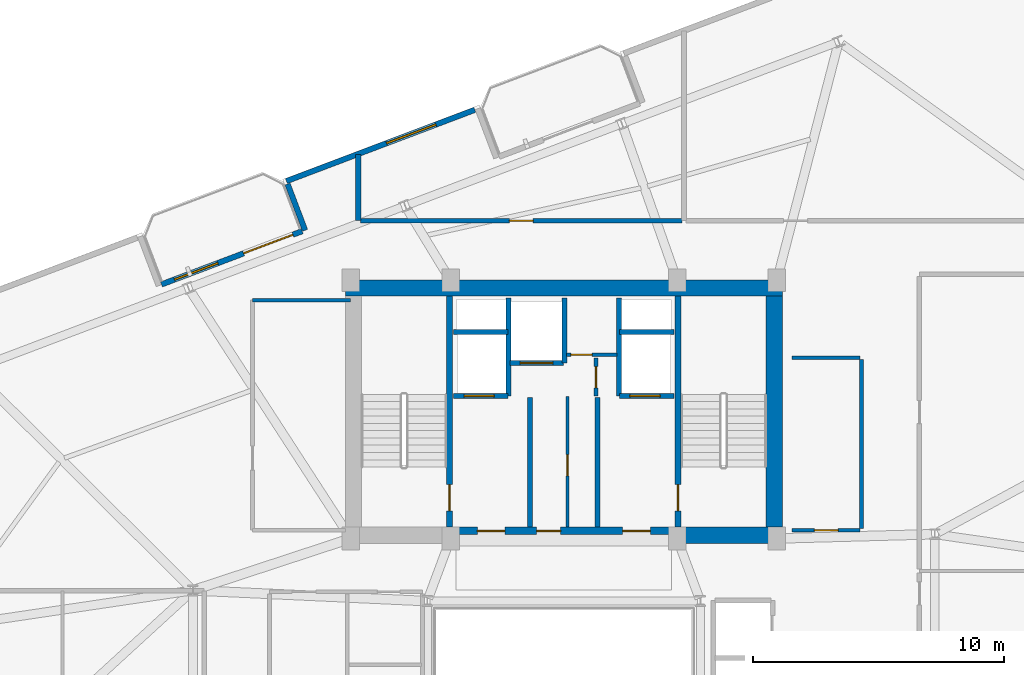
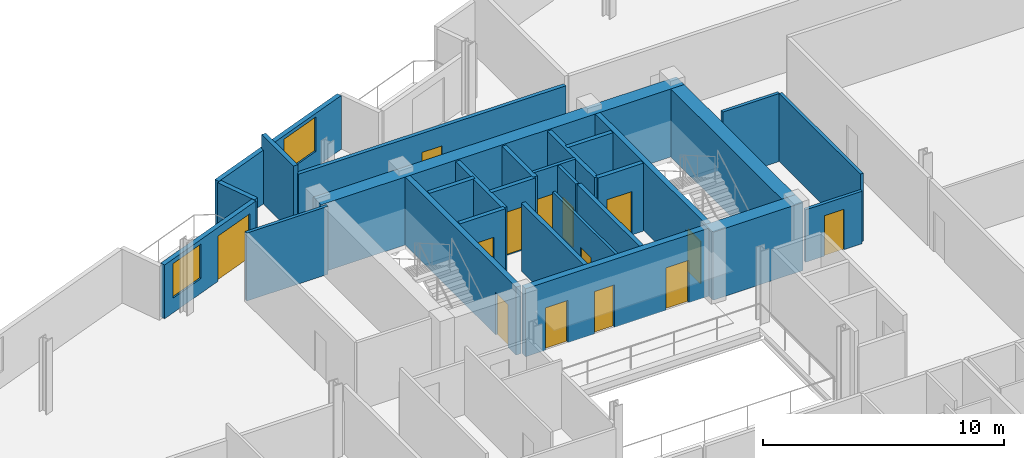
# One storey, part 16 of 19: 28 walls, 14 doors, 2 windows, 16 openings.
"""IFC4 building model written with IfcOpenShell, lengths in metres."""

from ifc_helpers import new_model, si_unit, direction, frame, frame_2d, origin, place, context, subcontext, project, spatial, rectangle, extrude, material, layer, layer_set, type_object, element, fill, save


model = new_model("IFC4")

# Units and contexts
model_context = context("Model", 3, precision=1e-05, world=origin(), true_north=direction((0.0, 1.0)))
body_context = subcontext(model_context, "Body", "Model", "MODEL_VIEW")
ifc_project = project(units=[si_unit("LENGTHUNIT", "METRE"), si_unit("AREAUNIT", "SQUARE_METRE"), si_unit("VOLUMEUNIT", "CUBIC_METRE"), si_unit("PLANEANGLEUNIT", "RADIAN"), si_unit("MASSUNIT", "GRAM", prefix="KILO")], contexts=[model_context])

# Site, building, storey
site_placement = place(None, origin())
site = spatial("IfcSite", under=ifc_project, at=site_placement, CompositionType="ELEMENT")
building_placement = place(site_placement, origin())
building = spatial("IfcBuilding", under=site, at=building_placement, Name="Varnelok Gate Tower", CompositionType="ELEMENT")
storey_placement = place(building_placement, frame((0.0, 0.0, 231.199951171875)))
storey = spatial("IfcBuildingStorey", under=building, at=storey_placement, Name="L59", CompositionType="ELEMENT", Elevation=231.199951171875)

# Wall, openings, door, window
ifc_material_1 = material(Name="Concrete C45/55", Category="concrete")
ifc_layer_1 = layer(ifc_material_1, 0.219970703125)
ifc_layer_set_1 = layer_set([ifc_layer_1], Name="Concrete C45/55")
wall_type_1 = type_object("IfcWallType", Name="EW-BALC-220", PredefinedType="SOLIDWALL", material=ifc_layer_set_1)
wall_1_placement = place(storey_placement, frame((23.1494140625, 38.88720703125, 0.0), z_axis=(0.0, 0.0, 1.0), x_axis=(0.9352192676, 0.354069091436, 0.0)))
wall_1 = element("IfcWall", 1, at=wall_1_placement, inside=storey, type_object=wall_type_1, Name="L59 North Terrace Envelope Wall 3", PredefinedType="SOLIDWALL", context=body_context, shape_type="SweptSolid", body=[
    extrude(rectangle(XDim=6.000244140625, YDim=0.219970703125, at=frame_2d((3.0, 0.0))), origin(), (0.0, 0.0, 1.0), 2.72998046875),
])
opening_1_placement = place(wall_1_placement, frame((3.5, 0.0, 0.0)))
opening_1 = element("IfcOpeningElement", 2, at=opening_1_placement, cuts=wall_1, Name="Opening BD-2", PredefinedType="OPENING", context=body_context, shape_type="SweptSolid", body=[
    extrude(rectangle(XDim=2.10009765625, YDim=2.300048828125, at=frame_2d((1.050048828125, 1.14990234375))), frame((0.0, 0.119873046875, 0.0), z_axis=(0.0, -1.0, 0.0), x_axis=(1.0, 0.0, 0.0)), (0.0, 0.0, 1.0), 0.239990234375),
])
opening_2_placement = place(wall_1_placement, frame((0.550048828125, 0.0, 0.75)))
opening_2 = element("IfcOpeningElement", 3, at=opening_2_placement, cuts=wall_1, Name="Opening WN5", PredefinedType="OPENING", context=body_context, shape_type="SweptSolid", body=[
    extrude(rectangle(XDim=1.85009765625, YDim=1.75, at=frame_2d((0.925048828125, 0.875))), frame((0.0, 0.119873046875, 0.0), z_axis=(0.0, -1.0, 0.0), x_axis=(1.0, 0.0, 0.0)), (0.0, 0.0, 1.0), 0.239990234375),
])
ifc_material_2 = material(Name="Anodized Aluminum Alloy 6063-T6", Category="aluminium")
door_type_1 = type_object("IfcDoorType", Name="DR-EXT-SLID2100", OperationType="SLIDING_TO_LEFT", PredefinedType="DOOR", material=ifc_material_2)
door_1_placement = place(opening_1_placement, origin())
door_1 = element("IfcDoor", 4, at=door_1_placement, inside=storey, type_object=door_type_1, Name="L59 North Balcony Glazed Door 3", OperationType="SLIDING_TO_LEFT", OverallHeight=2.300048828125, OverallWidth=2.10009765625, PredefinedType="DOOR", context=body_context, shape_type="SweptSolid", body=[
    extrude(rectangle(XDim=2.10009765625, YDim=2.300048828125, at=frame_2d((1.050048828125, 1.14990234375))), frame((0.0, 0.02490234375, 0.0), z_axis=(0.0, -1.0, 0.0), x_axis=(1.0, 0.0, 0.0)), (0.0, 0.0, 1.0), 0.050048828125),
])
fill(opening_1, door_1)
ifc_material_3 = material(Name="Low-E Laminated Double Glazing IGU", Category="glass")
window_type_1 = type_object("IfcWindowType", Name="WN-RES-1850", PartitioningType="SINGLE_PANEL", PredefinedType="WINDOW", material=ifc_material_3)
window_1_placement = place(opening_2_placement, origin())
window_1 = element("IfcWindow", 5, at=window_1_placement, inside=storey, type_object=window_type_1, Name="L59 North Vision Window 3.1", OverallHeight=1.75, OverallWidth=1.85009765625, PartitioningType="SINGLE_PANEL", PredefinedType="WINDOW", context=body_context, shape_type="SweptSolid", body=[
    extrude(rectangle(XDim=1.85009765625, YDim=1.75, at=frame_2d((0.925048828125, 0.875))), frame((0.0, 0.030029296875, 0.0), z_axis=(0.0, -1.0, 0.0), x_axis=(1.0, 0.0, 0.0)), (0.0, 0.0, 1.0), 0.06005859375),
])
fill(opening_2, window_1)

# Wall, opening, window
wall_2_placement = place(storey_placement, frame((35.647705078125, 45.853515625, 0.0), z_axis=(0.0, 0.0, 1.0), x_axis=(-0.935230796934, -0.354038636968, 0.0)))
wall_2 = element("IfcWall", 6, at=wall_2_placement, inside=storey, type_object=wall_type_1, Name="L59 Perimeter Facade Closure Wall 29", PredefinedType="SOLIDWALL", context=body_context, shape_type="SweptSolid", body=[
    extrude(rectangle(XDim=8.03515625, YDim=0.219970703125, at=frame_2d((4.017578125, 0.0))), origin(), (0.0, 0.0, 1.0), 2.72998046875),
])
opening_3_placement = place(wall_2_placement, frame((1.661865234375, 0.0, 0.800048828125)))
opening_3 = element("IfcOpeningElement", 7, at=opening_3_placement, cuts=wall_2, Name="Opening WN4", PredefinedType="OPENING", context=body_context, shape_type="SweptSolid", body=[
    extrude(rectangle(XDim=2.10009765625, YDim=1.75, at=frame_2d((1.050048828125, 0.875))), frame((0.0, 0.119873046875, 0.0), z_axis=(0.0, -1.0, 0.0), x_axis=(1.0, 0.0, 0.0)), (0.0, 0.0, 1.0), 0.239990234375),
])
window_type_2 = type_object("IfcWindowType", Name="WN-SUI-2100", PartitioningType="SINGLE_PANEL", PredefinedType="WINDOW", material=ifc_material_3)
window_2_placement = place(opening_3_placement, origin())
window_2 = element("IfcWindow", 8, at=window_2_placement, inside=storey, type_object=window_type_2, Name="L59 Perimeter Vision Window 29", OverallHeight=1.75, OverallWidth=2.10009765625, PartitioningType="SINGLE_PANEL", PredefinedType="WINDOW", context=body_context, shape_type="SweptSolid", body=[
    extrude(rectangle(XDim=2.10009765625, YDim=1.75, at=frame_2d((1.050048828125, 0.875))), frame((0.0, 0.030029296875, 0.0), z_axis=(0.0, -1.0, 0.0), x_axis=(1.0, 0.0, 0.0)), (0.0, 0.0, 1.0), 0.06005859375),
])
fill(opening_3, window_2)

# Wall
wall_3_placement = place(storey_placement, frame((28.177490234375, 42.891845703125, 0.0), z_axis=(0.0, 0.0, 1.0), x_axis=(0.354061611705, -0.935222099352, 0.0)))
element("IfcWall", 9, at=wall_3_placement, inside=storey, type_object=wall_type_1, Name="L59 Perimeter Facade Closure Wall 30", PredefinedType="SOLIDWALL", context=body_context, shape_type="SweptSolid", body=[
    extrude(rectangle(XDim=1.974853515625, YDim=0.219970703125, at=frame_2d((0.9873046875, 0.0))), origin(), (0.0, 0.0, 1.0), 2.72998046875),
])

# Wall, opening, door
ifc_material_4 = material(Name="Gypsum Plasterboard Acoustic Partition", Category="gypsum")
ifc_layer_2 = layer(ifc_material_4, 0.179931640625)
ifc_layer_set_2 = layer_set([ifc_layer_2], Name="Gypsum Plasterboard Acoustic Partition")
wall_type_2 = type_object("IfcWallType", Name="PW-CORR-180", PredefinedType="PARTITIONING", material=ifc_layer_set_2)
wall_4_placement = place(storey_placement, frame((31.080078125, 41.429931640625, 0.0), z_axis=(0.0, 0.0, 1.0), x_axis=(1.0, 0.0, 0.0)))
wall_4 = element("IfcWall", 10, at=wall_4_placement, inside=storey, type_object=wall_type_2, Name="Interior Partition", PredefinedType="PARTITIONING", context=body_context, shape_type="SweptSolid", body=[
    extrude(rectangle(XDim=12.83984375, YDim=0.179931640625, at=frame_2d((6.419921875, 0.0))), origin(), (0.0, 0.0, 1.0), 3.01806640625),
])
opening_4_placement = place(wall_4_placement, frame((5.945068359375, 0.0, 0.0)))
opening_4 = element("IfcOpeningElement", 11, at=opening_4_placement, cuts=wall_4, Name="Opening D-I2", PredefinedType="OPENING", context=body_context, shape_type="SweptSolid", body=[
    extrude(rectangle(XDim=0.949951171875, YDim=2.050048828125, at=frame_2d((0.47509765625, 1.02490234375))), frame((0.0, 0.099853515625, 0.0), z_axis=(0.0, -1.0, 0.0), x_axis=(1.0, 0.0, 0.0)), (0.0, 0.0, 1.0), 0.199951171875),
])
ifc_material_5 = material(Name="Engineered Hardwood Timber", Category="wood")
door_type_2 = type_object("IfcDoorType", Name="DR-INT-950", OperationType="NOTDEFINED", PredefinedType="DOOR", material=ifc_material_5)
door_2_placement = place(opening_4_placement, origin())
door_2 = element("IfcDoor", 12, at=door_2_placement, inside=storey, type_object=door_type_2, Name="L59 Executive Business Office 2 Door", OperationType="SINGLE_SWING_LEFT", OverallHeight=2.050048828125, OverallWidth=0.949951171875, PredefinedType="DOOR", context=body_context, shape_type="SweptSolid", body=[
    extrude(rectangle(XDim=0.949951171875, YDim=2.050048828125, at=frame_2d((0.47509765625, 1.02490234375))), frame((0.0, 0.02490234375, 0.0), z_axis=(0.0, -1.0, 0.0), x_axis=(1.0, 0.0, 0.0)), (0.0, 0.0, 1.0), 0.050048828125),
])
fill(opening_4, door_2)

ifc_layer_3 = layer(ifc_material_4, 0.125)
ifc_layer_set_3 = layer_set([ifc_layer_3], Name="Gypsum Plasterboard Acoustic Partition")
wall_type_3 = type_object("IfcWallType", Name="PW-PART-125", PredefinedType="PARTITIONING", material=ifc_layer_set_3)
wall_5_placement = place(storey_placement, frame((39.35009765625, 29.199951171875, 0.0), z_axis=(0.0, 0.0, 1.0), x_axis=(0.0, 1.0, 0.0)))
wall_5 = element("IfcWall", 13, at=wall_5_placement, inside=storey, type_object=wall_type_3, Name="Interior Partition", PredefinedType="PARTITIONING", context=body_context, shape_type="SweptSolid", body=[
    extrude(rectangle(XDim=5.219970703125, YDim=0.125, at=frame_2d((2.60986328125, 0.0))), origin(), (0.0, 0.0, 1.0), 3.449951171875),
])
opening_5_placement = place(wall_5_placement, frame((2.050048828125, 0.0, 0.0)))
opening_5 = element("IfcOpeningElement", 14, at=opening_5_placement, cuts=wall_5, Name="Opening D-RS", PredefinedType="OPENING", context=body_context, shape_type="SweptSolid", body=[
    extrude(rectangle(XDim=0.85009765625, YDim=2.050048828125, at=frame_2d((0.425048828125, 1.02490234375))), frame((0.0, 0.072509765625, 0.0), z_axis=(0.0, -1.0, 0.0), x_axis=(1.0, 0.0, 0.0)), (0.0, 0.0, 1.0), 0.14501953125),
])
ifc_material_6 = material(Name="Galvanized Steel Grade S350GD", Category="steel")
door_type_3 = type_object("IfcDoorType", Name="DR-RISER-850", OperationType="NOTDEFINED", PredefinedType="DOOR", material=ifc_material_6)
door_3_placement = place(opening_5_placement, origin())
door_3 = element("IfcDoor", 15, at=door_3_placement, inside=storey, type_object=door_type_3, Name="L59 Housekeeping Linen Door", OperationType="SINGLE_SWING_RIGHT", OverallHeight=2.050048828125, OverallWidth=0.85009765625, PredefinedType="DOOR", context=body_context, shape_type="SweptSolid", body=[
    extrude(rectangle(XDim=0.85009765625, YDim=2.050048828125, at=frame_2d((0.425048828125, 1.02490234375))), frame((0.0, 0.02490234375, 0.0), z_axis=(0.0, -1.0, 0.0), x_axis=(1.0, 0.0, 0.0)), (0.0, 0.0, 1.0), 0.050048828125),
])
fill(opening_5, door_3)

ifc_layer_4 = layer(ifc_material_4, 0.14990234375)
ifc_layer_set_4 = layer_set([ifc_layer_4], Name="Gypsum Plasterboard Acoustic Partition")
wall_type_4 = type_object("IfcWallType", Name="PW-PART-150", PredefinedType="PARTITIONING", material=ifc_layer_set_4)
wall_6_placement = place(storey_placement, frame((39.300048828125, 36.080078125, 0.0), z_axis=(0.0, 0.0, 1.0), x_axis=(1.0, 0.0, 0.0)))
wall_6 = element("IfcWall", 16, at=wall_6_placement, inside=storey, type_object=wall_type_4, Name="L59 Electrical Closet South Wall", PredefinedType="PARTITIONING", context=body_context, shape_type="SweptSolid", body=[
    extrude(rectangle(XDim=2.02001953125, YDim=0.14990234375, at=frame_2d((1.010009765625, 0.0))), origin(), (0.0, 0.0, 1.0), 3.449951171875),
])
opening_6_placement = place(wall_6_placement, frame((0.179931640625, 0.0, 0.0)))
opening_6 = element("IfcOpeningElement", 17, at=opening_6_placement, cuts=wall_6, Name="Opening D-RS", PredefinedType="OPENING", context=body_context, shape_type="SweptSolid", body=[
    extrude(rectangle(XDim=0.85009765625, YDim=2.050048828125, at=frame_2d((0.425048828125, 1.02490234375))), frame((0.0, 0.0849609375, 0.0), z_axis=(0.0, -1.0, 0.0), x_axis=(1.0, 0.0, 0.0)), (0.0, 0.0, 1.0), 0.169921875),
])
door_4_placement = place(opening_6_placement, origin())
door_4 = element("IfcDoor", 18, at=door_4_placement, inside=storey, type_object=door_type_3, Name="L59 Electrical Closet Door", OperationType="SINGLE_SWING_RIGHT", OverallHeight=2.050048828125, OverallWidth=0.85009765625, PredefinedType="DOOR", context=body_context, shape_type="SweptSolid", body=[
    extrude(rectangle(XDim=0.85009765625, YDim=2.050048828125, at=frame_2d((0.425048828125, 1.02490234375))), frame((0.0, 0.02490234375, 0.0), z_axis=(0.0, -1.0, 0.0), x_axis=(1.0, 0.0, 0.0)), (0.0, 0.0, 1.0), 0.050048828125),
])
fill(opening_6, door_4)

wall_7_placement = place(storey_placement, frame((40.47998046875, 34.43994140625, 0.0), z_axis=(0.0, 0.0, 1.0), x_axis=(0.0, 1.0, 0.0)))
wall_7 = element("IfcWall", 19, at=wall_7_placement, inside=storey, type_object=wall_type_4, Name="L59 Telecoms Closet West Wall", PredefinedType="PARTITIONING", context=body_context, shape_type="SweptSolid", body=[
    extrude(rectangle(XDim=1.52001953125, YDim=0.14990234375, at=frame_2d((0.760009765625, 0.0))), origin(), (0.0, 0.0, 1.0), 3.449951171875),
])
opening_7_placement = place(wall_7_placement, frame((0.320068359375, 0.0, 0.0)))
opening_7 = element("IfcOpeningElement", 20, at=opening_7_placement, cuts=wall_7, Name="Opening D-RS", PredefinedType="OPENING", context=body_context, shape_type="SweptSolid", body=[
    extrude(rectangle(XDim=0.85009765625, YDim=2.050048828125, at=frame_2d((0.425048828125, 1.02490234375))), frame((0.0, 0.0849609375, 0.0), z_axis=(0.0, -1.0, 0.0), x_axis=(1.0, 0.0, 0.0)), (0.0, 0.0, 1.0), 0.169921875),
])
door_5_placement = place(opening_7_placement, origin())
door_5 = element("IfcDoor", 21, at=door_5_placement, inside=storey, type_object=door_type_3, Name="L59 Telecoms Closet Door", OperationType="SINGLE_SWING_LEFT", OverallHeight=2.050048828125, OverallWidth=0.85009765625, PredefinedType="DOOR", context=body_context, shape_type="SweptSolid", body=[
    extrude(rectangle(XDim=0.85009765625, YDim=2.050048828125, at=frame_2d((0.425048828125, 1.02490234375))), frame((0.0, 0.02490234375, 0.0), z_axis=(0.0, -1.0, 0.0), x_axis=(1.0, 0.0, 0.0)), (0.0, 0.0, 1.0), 0.050048828125),
])
fill(opening_7, door_5)

# Wall
wall_8_placement = place(storey_placement, frame((26.780029296875, 38.260009765625, 0.0), z_axis=(0.0, 0.0, 1.0), x_axis=(1.0, 0.0, 0.0)))
element("IfcWall", 22, at=wall_8_placement, inside=storey, type_object=wall_type_4, Name="Interior Partition", PredefinedType="PARTITIONING", context=body_context, shape_type="SweptSolid", body=[
    extrude(rectangle(XDim=3.89990234375, YDim=0.14990234375, at=frame_2d((1.949951171875, 0.0))), origin(), (0.0, 0.0, 1.0), 3.449951171875),
])

# Wall, opening, door
wall_9_placement = place(storey_placement, frame((48.300048828125, 29.080078125, 0.0), z_axis=(0.0, 0.0, 1.0), x_axis=(1.0, 0.0, 0.0)))
wall_9 = element("IfcWall", 23, at=wall_9_placement, inside=storey, type_object=wall_type_4, Name="Interior Partition", PredefinedType="PARTITIONING", context=body_context, shape_type="SweptSolid", body=[
    extrude(rectangle(XDim=2.719970703125, YDim=0.14990234375, at=frame_2d((1.35986328125, 0.0))), origin(), (0.0, 0.0, 1.0), 2.662109375),
])
opening_8_placement = place(wall_9_placement, frame((0.89990234375, 0.0, 0.0)))
opening_8 = element("IfcOpeningElement", 24, at=opening_8_placement, cuts=wall_9, Name="Opening D-I2", PredefinedType="OPENING", context=body_context, shape_type="SweptSolid", body=[
    extrude(rectangle(XDim=0.949951171875, YDim=2.050048828125, at=frame_2d((0.47509765625, 1.02490234375))), frame((0.0, 0.0849609375, 0.0), z_axis=(0.0, -1.0, 0.0), x_axis=(1.0, 0.0, 0.0)), (0.0, 0.0, 1.0), 0.169921875),
])
door_6_placement = place(opening_8_placement, origin())
door_6 = element("IfcDoor", 25, at=door_6_placement, inside=storey, type_object=door_type_2, Name="L59 Reclaimed Trunk Store Door", OperationType="SINGLE_SWING_LEFT", OverallHeight=2.050048828125, OverallWidth=0.949951171875, PredefinedType="DOOR", context=body_context, shape_type="SweptSolid", body=[
    extrude(rectangle(XDim=0.949951171875, YDim=2.050048828125, at=frame_2d((0.47509765625, 1.02490234375))), frame((0.0, 0.02490234375, 0.0), z_axis=(0.0, -1.0, 0.0), x_axis=(1.0, 0.0, 0.0)), (0.0, 0.0, 1.0), 0.050048828125),
])
fill(opening_8, door_6)

# Walls
wall_10_placement = place(storey_placement, frame((48.300048828125, 35.9599609375, 0.0), z_axis=(0.0, 0.0, 1.0), x_axis=(1.0, 0.0, 0.0)))
element("IfcWall", 26, at=wall_10_placement, inside=storey, type_object=wall_type_4, Name="Interior Partition", PredefinedType="PARTITIONING", context=body_context, shape_type="SweptSolid", body=[
    extrude(rectangle(XDim=2.719970703125, YDim=0.14990234375, at=frame_2d((1.35986328125, 0.0))), origin(), (0.0, 0.0, 1.0), 3.449951171875),
])
wall_11_placement = place(storey_placement, frame((51.080078125, 29.139892578125, 0.0), z_axis=(0.0, 0.0, 1.0), x_axis=(0.0, 1.0, 0.0)))
element("IfcWall", 27, at=wall_11_placement, inside=storey, type_object=wall_type_4, Name="Interior Partition", PredefinedType="PARTITIONING", context=body_context, shape_type="SweptSolid", body=[
    extrude(rectangle(XDim=6.760009765625, YDim=0.14990234375, at=frame_2d((3.3798828125, 0.0))), origin(), (0.0, 0.0, 1.0), 3.449951171875),
])
ifc_layer_5 = layer(ifc_material_4, 0.205078125)
ifc_layer_set_5 = layer_set([ifc_layer_5], Name="Gypsum Plasterboard Acoustic Partition")
wall_type_5 = type_object("IfcWallType", Name="PW-PARTY-200", PredefinedType="PARTITIONING", material=ifc_layer_set_5)
wall_12_placement = place(storey_placement, frame((31.0, 41.429931640625, 0.0), z_axis=(0.0, 0.0, 1.0), x_axis=(0.0, 1.0, 0.0)))
element("IfcWall", 28, at=wall_12_placement, inside=storey, type_object=wall_type_5, Name="L59 North Party Wall 1", PredefinedType="PARTITIONING", context=body_context, shape_type="SweptSolid", body=[
    extrude(rectangle(XDim=2.642822265625, YDim=0.205078125, at=frame_2d((1.3212890625, 0.0))), origin(), (0.0, 0.0, 1.0), 3.449951171875),
])
ifc_material_7 = material(Name="Concrete C35/45", Category="concrete")
ifc_layer_6 = layer(ifc_material_7, 0.199951171875)
ifc_layer_set_6 = layer_set([ifc_layer_6], Name="Concrete C35/45")
wall_type_6 = type_object("IfcWallType", Name="PW-SHAFT-200", PredefinedType="PARTITIONING", material=ifc_layer_set_6)
for number, where, z_axis, x_axis, name in (
    (29, (37.860107421875, 29.199951171875, 0.0), (0.0, 0.0, 1.0), (0.0, 1.0, 0.0), "L59 West FF Lobby Rated Wall"),
    (30, (40.5400390625, 29.199951171875, 0.0), (0.0, 0.0, 1.0), (0.0, 1.0, 0.0), "L59 East FF Lobby Rated Wall"),
):
    element("IfcWall", number, at=place(storey_placement, frame(where, z_axis=z_axis, x_axis=x_axis)), inside=storey, type_object=wall_type_6, Name=name, PredefinedType="PARTITIONING", context=body_context, shape_type="SweptSolid", body=[
        extrude(rectangle(XDim=5.179931640625, YDim=0.199951171875, at=frame_2d((2.58984375, 0.0))), origin(), (0.0, 0.0, 1.0), 3.449951171875),
    ])

# Wall, opening, door
wall_13_placement = place(storey_placement, frame((34.800048828125, 34.43994140625, 0.0), z_axis=(0.0, 0.0, 1.0), x_axis=(1.0, 0.0, 0.0)))
wall_13 = element("IfcWall", 31, at=wall_13_placement, inside=storey, type_object=wall_type_6, Name="L59 FF1 Shaft Front Wall", PredefinedType="PARTITIONING", context=body_context, shape_type="SweptSolid", body=[
    extrude(rectangle(XDim=2.179931640625, YDim=0.199951171875, at=frame_2d((1.08984375, 0.0))), origin(), (0.0, 0.0, 1.0), 3.449951171875),
])
opening_9_placement = place(wall_13_placement, frame((0.419921875, 0.0, 0.0)))
opening_9 = element("IfcOpeningElement", 32, at=opening_9_placement, cuts=wall_13, Name="Opening LD-FF1", PredefinedType="OPENING", context=body_context, shape_type="SweptSolid", body=[
    extrude(rectangle(XDim=1.199951171875, YDim=2.199951171875, at=frame_2d((0.60009765625, 1.10009765625))), frame((0.0, 0.10986328125, 0.0), z_axis=(0.0, -1.0, 0.0), x_axis=(1.0, 0.0, 0.0)), (0.0, 0.0, 1.0), 0.219970703125),
])
door_type_4 = type_object("IfcDoorType", Name="DR-LIFT-FF1200", OperationType="SLIDING_TO_LEFT", PredefinedType="DOOR", material=ifc_material_6)
door_7_placement = place(opening_9_placement, origin())
door_7 = element("IfcDoor", 33, at=door_7_placement, inside=storey, type_object=door_type_4, Name="L59 Firefighting Lift Landing Door LD-FF1", OperationType="SLIDING_TO_LEFT", OverallHeight=2.199951171875, OverallWidth=1.199951171875, PredefinedType="DOOR", context=body_context, shape_type="SweptSolid", body=[
    extrude(rectangle(XDim=1.199951171875, YDim=2.199951171875, at=frame_2d((0.60009765625, 1.10009765625))), frame((0.0, 0.02490234375, 0.0), z_axis=(0.0, -1.0, 0.0), x_axis=(1.0, 0.0, 0.0)), (0.0, 0.0, 1.0), 0.050048828125),
])
fill(opening_9, door_7)

# Walls
wall_14_placement = place(storey_placement, frame((34.800048828125, 36.97998046875, 0.0), z_axis=(0.0, 0.0, 1.0), x_axis=(1.0, 0.0, 0.0)))
element("IfcWall", 34, at=wall_14_placement, inside=storey, type_object=wall_type_6, Name="L59 FF1 Shaft North Wall", PredefinedType="PARTITIONING", context=body_context, shape_type="SweptSolid", body=[
    extrude(rectangle(XDim=2.179931640625, YDim=0.199951171875, at=frame_2d((1.08984375, 0.0))), origin(), (0.0, 0.0, 1.0), 3.449951171875),
])
wall_15_placement = place(storey_placement, frame((37.0, 34.43994140625, 0.0), z_axis=(0.0, 0.0, 1.0), x_axis=(0.0, 1.0, 0.0)))
element("IfcWall", 35, at=wall_15_placement, inside=storey, type_object=wall_type_6, Name="L59 FF1 Shaft Side Wall", PredefinedType="PARTITIONING", context=body_context, shape_type="SweptSolid", body=[
    extrude(rectangle(XDim=3.900146484375, YDim=0.199951171875, at=frame_2d((1.9501953125, 0.0))), origin(), (0.0, 0.0, 1.0), 3.449951171875),
])

# Wall, opening, door
wall_16_placement = place(storey_placement, frame((41.419921875, 34.43994140625, 0.0), z_axis=(0.0, 0.0, 1.0), x_axis=(1.0, 0.0, 0.0)))
wall_16 = element("IfcWall", 36, at=wall_16_placement, inside=storey, type_object=wall_type_6, Name="L59 FF2 Shaft Front Wall", PredefinedType="PARTITIONING", context=body_context, shape_type="SweptSolid", body=[
    extrude(rectangle(XDim=2.18017578125, YDim=0.199951171875, at=frame_2d((1.090087890625, 0.0))), origin(), (0.0, 0.0, 1.0), 3.449951171875),
])
opening_10_placement = place(wall_16_placement, frame((0.419921875, 0.0, 0.0)))
opening_10 = element("IfcOpeningElement", 37, at=opening_10_placement, cuts=wall_16, Name="Opening LD-FF2", PredefinedType="OPENING", context=body_context, shape_type="SweptSolid", body=[
    extrude(rectangle(XDim=1.199951171875, YDim=2.199951171875, at=frame_2d((0.60009765625, 1.10009765625))), frame((0.0, 0.10986328125, 0.0), z_axis=(0.0, -1.0, 0.0), x_axis=(1.0, 0.0, 0.0)), (0.0, 0.0, 1.0), 0.219970703125),
])
door_8_placement = place(opening_10_placement, origin())
door_8 = element("IfcDoor", 38, at=door_8_placement, inside=storey, type_object=door_type_4, Name="L59 Firefighting Lift Landing Door LD-FF2", OperationType="SLIDING_TO_LEFT", OverallHeight=2.199951171875, OverallWidth=1.199951171875, PredefinedType="DOOR", context=body_context, shape_type="SweptSolid", body=[
    extrude(rectangle(XDim=1.199951171875, YDim=2.199951171875, at=frame_2d((0.60009765625, 1.10009765625))), frame((0.0, 0.02490234375, 0.0), z_axis=(0.0, -1.0, 0.0), x_axis=(1.0, 0.0, 0.0)), (0.0, 0.0, 1.0), 0.050048828125),
])
fill(opening_10, door_8)

# Walls
wall_17_placement = place(storey_placement, frame((41.419921875, 36.97998046875, 0.0), z_axis=(0.0, 0.0, 1.0), x_axis=(1.0, 0.0, 0.0)))
element("IfcWall", 39, at=wall_17_placement, inside=storey, type_object=wall_type_6, Name="L59 FF2 Shaft North Wall", PredefinedType="PARTITIONING", context=body_context, shape_type="SweptSolid", body=[
    extrude(rectangle(XDim=2.18017578125, YDim=0.199951171875, at=frame_2d((1.090087890625, 0.0))), origin(), (0.0, 0.0, 1.0), 3.449951171875),
])
wall_18_placement = place(storey_placement, frame((41.39990234375, 34.43994140625, 0.0), z_axis=(0.0, 0.0, 1.0), x_axis=(0.0, 1.0, 0.0)))
element("IfcWall", 40, at=wall_18_placement, inside=storey, type_object=wall_type_6, Name="L59 FF2 Shaft Side Wall", PredefinedType="PARTITIONING", context=body_context, shape_type="SweptSolid", body=[
    extrude(rectangle(XDim=3.900146484375, YDim=0.199951171875, at=frame_2d((1.9501953125, 0.0))), origin(), (0.0, 0.0, 1.0), 3.449951171875),
])

# Wall, opening, door
wall_19_placement = place(storey_placement, frame((37.06005859375, 35.75, 0.0), z_axis=(0.0, 0.0, 1.0), x_axis=(1.0, 0.0, 0.0)))
wall_19 = element("IfcWall", 41, at=wall_19_placement, inside=storey, type_object=wall_type_6, Name="L59 SV1 Shaft Front Wall", PredefinedType="PARTITIONING", context=body_context, shape_type="SweptSolid", body=[
    extrude(rectangle(XDim=2.119873046875, YDim=0.199951171875, at=frame_2d((1.06005859375, 0.0))), origin(), (0.0, 0.0, 1.0), 3.449951171875),
])
opening_11_placement = place(wall_19_placement, frame((0.39990234375, 0.0, 0.0)))
opening_11 = element("IfcOpeningElement", 42, at=opening_11_placement, cuts=wall_19, Name="Opening LD-SV1", PredefinedType="OPENING", context=body_context, shape_type="SweptSolid", body=[
    extrude(rectangle(XDim=1.300048828125, YDim=2.199951171875, at=frame_2d((0.64990234375, 1.10009765625))), frame((0.0, 0.10986328125, 0.0), z_axis=(0.0, -1.0, 0.0), x_axis=(1.0, 0.0, 0.0)), (0.0, 0.0, 1.0), 0.219970703125),
])
door_type_5 = type_object("IfcDoorType", Name="DR-LIFT-SV1300", OperationType="SLIDING_TO_LEFT", PredefinedType="DOOR", material=ifc_material_6)
door_9_placement = place(opening_11_placement, origin())
door_9 = element("IfcDoor", 43, at=door_9_placement, inside=storey, type_object=door_type_5, Name="L59 Service Lift Landing Door LD-SV1", OperationType="SLIDING_TO_LEFT", OverallHeight=2.199951171875, OverallWidth=1.300048828125, PredefinedType="DOOR", context=body_context, shape_type="SweptSolid", body=[
    extrude(rectangle(XDim=1.300048828125, YDim=2.199951171875, at=frame_2d((0.64990234375, 1.10009765625))), frame((0.0, 0.02490234375, 0.0), z_axis=(0.0, -1.0, 0.0), x_axis=(1.0, 0.0, 0.0)), (0.0, 0.0, 1.0), 0.050048828125),
])
fill(opening_11, door_9)

# Walls
wall_20_placement = place(storey_placement, frame((39.219970703125, 35.75, 0.0), z_axis=(0.0, 0.0, 1.0), x_axis=(0.0, 1.0, 0.0)))
element("IfcWall", 44, at=wall_20_placement, inside=storey, type_object=wall_type_6, Name="L59 SV1 Shaft East Wall", PredefinedType="PARTITIONING", context=body_context, shape_type="SweptSolid", body=[
    extrude(rectangle(XDim=2.590087890625, YDim=0.199951171875, at=frame_2d((1.294921875, 0.0))), origin(), (0.0, 0.0, 1.0), 3.449951171875),
])
ifc_material_8 = material(Name="Concrete C60/75", Category="concrete")
ifc_layer_7 = layer(ifc_material_8, 0.64990234375)
ifc_layer_set_7 = layer_set([ifc_layer_7], Name="Concrete C60/75")
wall_type_7 = type_object("IfcWallType", Name="SW-CORE-650", PredefinedType="SHEAR", material=ifc_layer_set_7)
wall_21_placement = place(storey_placement, frame((30.47998046875, 38.7451171875, 0.0), z_axis=(0.0, 0.0, 1.0), x_axis=(1.0, 0.0, 0.0)))
element("IfcWall", 45, at=wall_21_placement, inside=storey, type_object=wall_type_7, Name="L59 Rear Core North Shear Wall", PredefinedType="SHEAR", context=body_context, shape_type="SweptSolid", body=[
    extrude(rectangle(XDim=17.43994140625, YDim=0.64990234375, at=frame_2d((8.719970703125, 0.0))), origin(), (0.0, 0.0, 1.0), 3.449951171875),
])
wall_22_placement = place(storey_placement, frame((47.594970703125, 29.199951171875, 0.0), z_axis=(0.0, 0.0, 1.0), x_axis=(0.0, 1.0, 0.0)))
element("IfcWall", 46, at=wall_22_placement, inside=storey, type_object=wall_type_7, Name="L59 Rear Core East Shear Wall", PredefinedType="SHEAR", context=body_context, shape_type="SweptSolid", body=[
    extrude(rectangle(XDim=9.219970703125, YDim=0.64990234375, at=frame_2d((4.60986328125, 0.0))), origin(), (0.0, 0.0, 1.0), 3.449951171875),
])
wall_23_placement = place(storey_placement, frame((43.60009765625, 28.875, 0.0), z_axis=(0.0, 0.0, 1.0), x_axis=(1.0, 0.0, 0.0)))
element("IfcWall", 47, at=wall_23_placement, inside=storey, type_object=wall_type_7, Name="L59 Rear Core South-East Shear Wall", PredefinedType="SHEAR", context=body_context, shape_type="SweptSolid", body=[
    extrude(rectangle(XDim=4.31982421875, YDim=0.64990234375, at=frame_2d((2.159912109375, 0.0))), origin(), (0.0, 0.0, 1.0), 3.449951171875),
])

# Wall, opening, door
ifc_layer_8 = layer(ifc_material_8, 0.25)
ifc_layer_set_8 = layer_set([ifc_layer_8], Name="Concrete C60/75")
wall_type_8 = type_object("IfcWallType", Name="SW-SHAFT-250", PredefinedType="SHEAR", material=ifc_layer_set_8)
wall_24_placement = place(storey_placement, frame((34.639892578125, 29.199951171875, 0.0), z_axis=(0.0, 0.0, 1.0), x_axis=(0.0, 1.0, 0.0)))
wall_24 = element("IfcWall", 48, at=wall_24_placement, inside=storey, type_object=wall_type_8, Name="L59 Stair ST-1 East Shear Wall", PredefinedType="SHEAR", context=body_context, shape_type="SweptSolid", body=[
    extrude(rectangle(XDim=9.219970703125, YDim=0.25, at=frame_2d((4.60986328125, 0.0))), origin(), (0.0, 0.0, 1.0), 3.449951171875),
])
opening_12_placement = place(wall_24_placement, frame((0.64990234375, 0.0, 0.0)))
opening_12 = element("IfcOpeningElement", 49, at=opening_12_placement, cuts=wall_24, Name="Opening D-ST", PredefinedType="OPENING", context=body_context, shape_type="SweptSolid", body=[
    extrude(rectangle(XDim=1.050048828125, YDim=2.14990234375, at=frame_2d((0.52490234375, 1.074951171875))), frame((0.0, 0.135009765625, 0.0), z_axis=(0.0, -1.0, 0.0), x_axis=(1.0, 0.0, 0.0)), (0.0, 0.0, 1.0), 0.27001953125),
])
door_type_6 = type_object("IfcDoorType", Name="DR-STAIR-1050", OperationType="NOTDEFINED", PredefinedType="DOOR", material=ifc_material_6)
door_10_placement = place(opening_12_placement, origin())
door_10 = element("IfcDoor", 50, at=door_10_placement, inside=storey, type_object=door_type_6, Name="L59 Exit Stair ST-1 Fire Door", OperationType="SINGLE_SWING_LEFT", OverallHeight=2.14990234375, OverallWidth=1.050048828125, PredefinedType="DOOR", context=body_context, shape_type="SweptSolid", body=[
    extrude(rectangle(XDim=1.050048828125, YDim=2.14990234375, at=frame_2d((0.52490234375, 1.074951171875))), frame((0.0, 0.02490234375, 0.0), z_axis=(0.0, -1.0, 0.0), x_axis=(1.0, 0.0, 0.0)), (0.0, 0.0, 1.0), 0.050048828125),
])
fill(opening_12, door_10)

wall_25_placement = place(storey_placement, frame((43.760009765625, 29.199951171875, 0.0), z_axis=(0.0, 0.0, 1.0), x_axis=(0.0, 1.0, 0.0)))
wall_25 = element("IfcWall", 51, at=wall_25_placement, inside=storey, type_object=wall_type_8, Name="L59 Stair ST-2 West Shear Wall", PredefinedType="SHEAR", context=body_context, shape_type="SweptSolid", body=[
    extrude(rectangle(XDim=9.219970703125, YDim=0.25, at=frame_2d((4.60986328125, 0.0))), origin(), (0.0, 0.0, 1.0), 3.449951171875),
])
opening_13_placement = place(wall_25_placement, frame((0.64990234375, 0.0, 0.0)))
opening_13 = element("IfcOpeningElement", 52, at=opening_13_placement, cuts=wall_25, Name="Opening D-ST", PredefinedType="OPENING", context=body_context, shape_type="SweptSolid", body=[
    extrude(rectangle(XDim=1.050048828125, YDim=2.14990234375, at=frame_2d((0.52490234375, 1.074951171875))), frame((0.0, 0.135009765625, 0.0), z_axis=(0.0, -1.0, 0.0), x_axis=(1.0, 0.0, 0.0)), (0.0, 0.0, 1.0), 0.27001953125),
])
door_11_placement = place(opening_13_placement, origin())
door_11 = element("IfcDoor", 53, at=door_11_placement, inside=storey, type_object=door_type_6, Name="L59 Exit Stair ST-2 Fire Door", OperationType="SINGLE_SWING_RIGHT", OverallHeight=2.14990234375, OverallWidth=1.050048828125, PredefinedType="DOOR", context=body_context, shape_type="SweptSolid", body=[
    extrude(rectangle(XDim=1.050048828125, YDim=2.14990234375, at=frame_2d((0.52490234375, 1.074951171875))), frame((0.0, 0.02490234375, 0.0), z_axis=(0.0, -1.0, 0.0), x_axis=(1.0, 0.0, 0.0)), (0.0, 0.0, 1.0), 0.050048828125),
])
fill(opening_13, door_11)

# Wall, openings, doors
ifc_layer_9 = layer(ifc_material_8, 0.300048828125)
ifc_layer_set_9 = layer_set([ifc_layer_9], Name="Concrete C60/75")
wall_type_9 = type_object("IfcWallType", Name="SW-SHAFT-300", PredefinedType="SHEAR", material=ifc_layer_set_9)
wall_26_placement = place(storey_placement, frame((34.800048828125, 29.050048828125, 0.0), z_axis=(0.0, 0.0, 1.0), x_axis=(1.0, 0.0, 0.0)))
wall_26 = element("IfcWall", 54, at=wall_26_placement, inside=storey, type_object=wall_type_9, Name="L59 Rear Core Central Lobby Shear Wall", PredefinedType="SHEAR", context=body_context, shape_type="SweptSolid", body=[
    extrude(rectangle(XDim=8.800048828125, YDim=0.300048828125, at=frame_2d((4.39990234375, 0.0))), origin(), (0.0, 0.0, 1.0), 3.449951171875),
])
opening_14_placement = place(wall_26_placement, frame((0.949951171875, 0.0, 0.0)))
opening_14 = element("IfcOpeningElement", 55, at=opening_14_placement, cuts=wall_26, Name="Opening D-FF", PredefinedType="OPENING", context=body_context, shape_type="SweptSolid", body=[
    extrude(rectangle(XDim=1.10009765625, YDim=2.14990234375, at=frame_2d((0.550048828125, 1.074951171875))), frame((0.0, 0.159912109375, 0.0), z_axis=(0.0, -1.0, 0.0), x_axis=(1.0, 0.0, 0.0)), (0.0, 0.0, 1.0), 0.320068359375),
])
opening_15_placement = place(wall_26_placement, frame((6.75, 0.0, 0.0)))
opening_15 = element("IfcOpeningElement", 56, at=opening_15_placement, cuts=wall_26, Name="Opening D-FF", PredefinedType="OPENING", context=body_context, shape_type="SweptSolid", body=[
    extrude(rectangle(XDim=1.10009765625, YDim=2.14990234375, at=frame_2d((0.550048828125, 1.074951171875))), frame((0.0, 0.159912109375, 0.0), z_axis=(0.0, -1.0, 0.0), x_axis=(1.0, 0.0, 0.0)), (0.0, 0.0, 1.0), 0.320068359375),
])
opening_16_placement = place(wall_26_placement, frame((3.320068359375, 0.0, 0.0)))
opening_16 = element("IfcOpeningElement", 57, at=opening_16_placement, cuts=wall_26, Name="Opening D-CR", PredefinedType="OPENING", context=body_context, shape_type="SweptSolid", body=[
    extrude(rectangle(XDim=0.949951171875, YDim=2.14990234375, at=frame_2d((0.47509765625, 1.074951171875))), frame((0.0, 0.159912109375, 0.0), z_axis=(0.0, -1.0, 0.0), x_axis=(1.0, 0.0, 0.0)), (0.0, 0.0, 1.0), 0.320068359375),
])
door_type_7 = type_object("IfcDoorType", Name="DR-CORR-950", OperationType="NOTDEFINED", PredefinedType="DOOR", material=ifc_material_6)
door_12_placement = place(opening_16_placement, origin())
door_12 = element("IfcDoor", 58, at=door_12_placement, inside=storey, type_object=door_type_7, Name="L59 Core Service Passage Door", OperationType="SINGLE_SWING_LEFT", OverallHeight=2.14990234375, OverallWidth=0.949951171875, PredefinedType="DOOR", context=body_context, shape_type="SweptSolid", body=[
    extrude(rectangle(XDim=0.949951171875, YDim=2.14990234375, at=frame_2d((0.47509765625, 1.074951171875))), frame((0.0, 0.02490234375, 0.0), z_axis=(0.0, -1.0, 0.0), x_axis=(1.0, 0.0, 0.0)), (0.0, 0.0, 1.0), 0.050048828125),
])
fill(opening_16, door_12)
door_type_8 = type_object("IfcDoorType", Name="DR-FFLOB-1100", OperationType="NOTDEFINED", PredefinedType="DOOR", material=ifc_material_6)
door_13_placement = place(opening_14_placement, origin())
door_13 = element("IfcDoor", 59, at=door_13_placement, inside=storey, type_object=door_type_8, Name="L59 West Firefighting Lobby Fire Door", OperationType="SINGLE_SWING_RIGHT", OverallHeight=2.14990234375, OverallWidth=1.10009765625, PredefinedType="DOOR", context=body_context, shape_type="SweptSolid", body=[
    extrude(rectangle(XDim=1.10009765625, YDim=2.14990234375, at=frame_2d((0.550048828125, 1.074951171875))), frame((0.0, 0.02490234375, 0.0), z_axis=(0.0, -1.0, 0.0), x_axis=(1.0, 0.0, 0.0)), (0.0, 0.0, 1.0), 0.050048828125),
])
fill(opening_14, door_13)
door_14_placement = place(opening_15_placement, origin())
door_14 = element("IfcDoor", 60, at=door_14_placement, inside=storey, type_object=door_type_8, Name="L59 East Firefighting Lobby Fire Door", OperationType="SINGLE_SWING_LEFT", OverallHeight=2.14990234375, OverallWidth=1.10009765625, PredefinedType="DOOR", context=body_context, shape_type="SweptSolid", body=[
    extrude(rectangle(XDim=1.10009765625, YDim=2.14990234375, at=frame_2d((0.550048828125, 1.074951171875))), frame((0.0, 0.02490234375, 0.0), z_axis=(0.0, -1.0, 0.0), x_axis=(1.0, 0.0, 0.0)), (0.0, 0.0, 1.0), 0.050048828125),
])
fill(opening_15, door_14)

save(model, "model.ifc")
